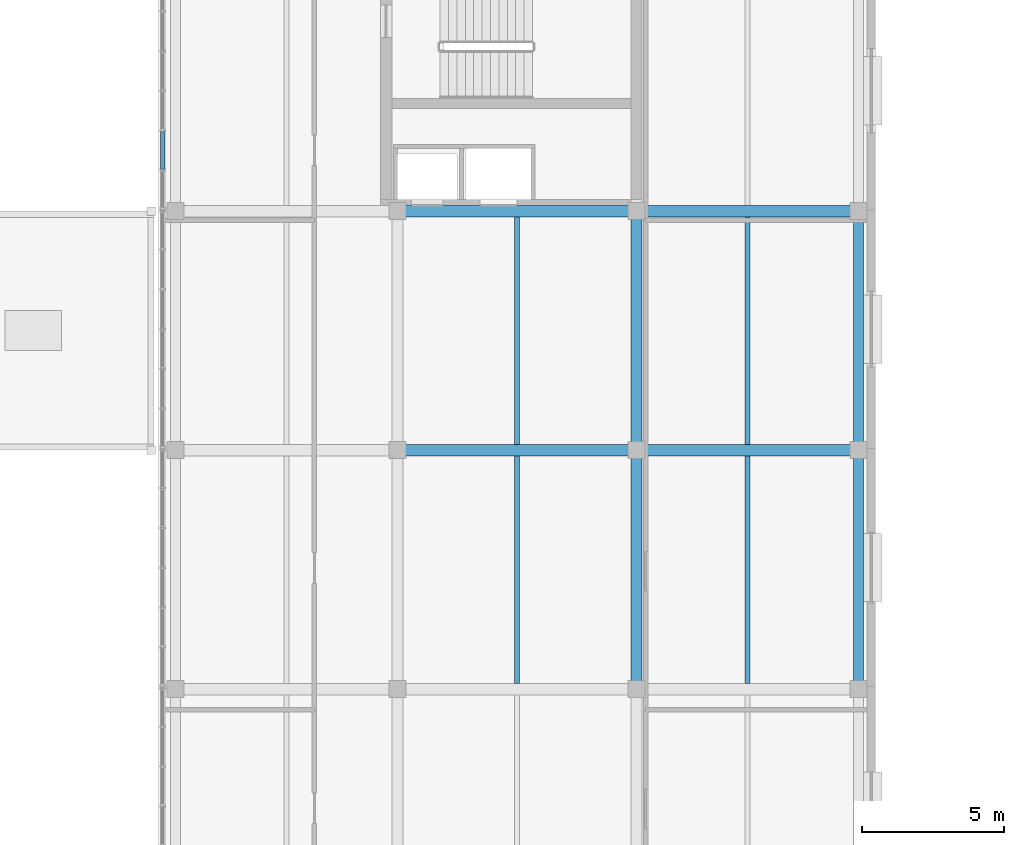
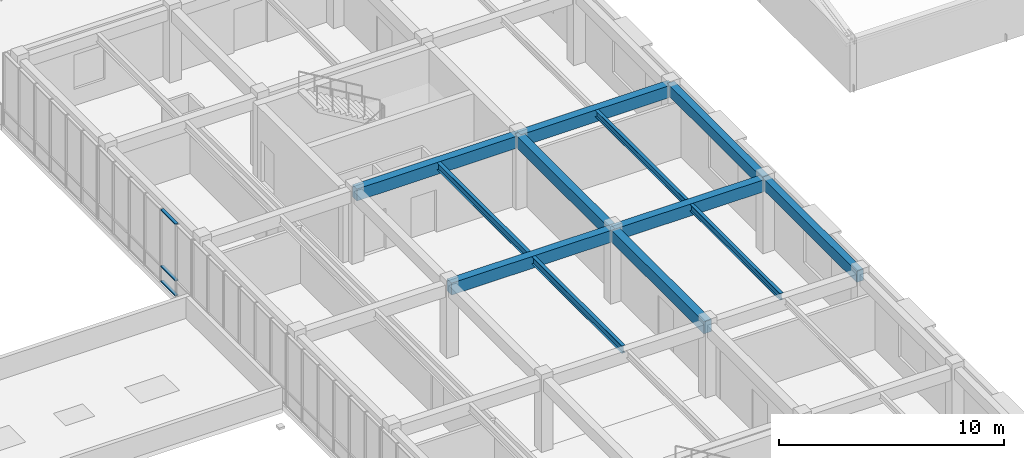
# One storey, part 59 of 123: 12 beams, 3 members, 1 element without a shape of its own.
"""IFC4 building model written with IfcOpenShell, lengths in metres."""

from ifc_helpers import new_model, si_unit, direction, frame, origin, origin_2d, place, context, subcontext, project, spatial, rectangle, hollow_rectangle, i_section, extrude, material, layer, layer_set, material_profile, profile_set, type_object, element, aggregate, save


model = new_model("IFC4")

# Units and contexts
model_context = context("Model", 3, precision=1e-05, world=origin(), true_north=direction((0.0, 1.0)))
body_context = subcontext(model_context, "Body", "Model", "MODEL_VIEW")
ifc_project = project(units=[si_unit("LENGTHUNIT", "METRE"), si_unit("AREAUNIT", "SQUARE_METRE"), si_unit("VOLUMEUNIT", "CUBIC_METRE"), si_unit("PLANEANGLEUNIT", "RADIAN"), si_unit("MASSUNIT", "GRAM", prefix="KILO")], contexts=[model_context])

# Site, building, storey
site_placement = place(None, origin())
site = spatial("IfcSite", under=ifc_project, at=site_placement, CompositionType="ELEMENT")
building_placement = place(site_placement, origin())
building = spatial("IfcBuilding", under=site, at=building_placement, Name="Zayran Congress Hotel", CompositionType="ELEMENT")
storey_placement = place(building_placement, frame((0.0, 0.0, 15.0)))
storey = spatial("IfcBuildingStorey", under=building, at=storey_placement, Name="L03", CompositionType="ELEMENT", Elevation=15.0)

# Beams
ifc_material_1 = material(Name="Concrete C40/50", Category="concrete")
ifc_material_profile_1 = material_profile(ifc_material_1, rectangle(XDim=0.39990234375, YDim=0.64990234375, at=origin_2d()), Name="RC 400x650")
ifc_profile_set_1 = profile_set([ifc_material_profile_1], Name="Concrete C40/50")
beam_type_1 = type_object("IfcBeamType", Name="TP-BM-03", PredefinedType="BEAM", material=ifc_profile_set_1)
beam_1_placement = place(storey_placement, frame((117.60009765625, 76.0, 3.594970703125), z_axis=(1.0, 0.0, 0.0), x_axis=(0.0, 1.0, 0.0)))
element("IfcBeam", 1, at=beam_1_placement, inside=storey, type_object=beam_type_1, Name="BM-V4-L03-1504", PredefinedType="BEAM", context=body_context, shape_type="SweptSolid", body=[
    extrude(rectangle(XDim=0.39990234375, YDim=0.64990234375, at=origin_2d()), origin(), (0.0, 0.0, 1.0), 8.39990234375),
])
beam_2_placement = place(storey_placement, frame((126.0, 76.0, 3.594970703125), z_axis=(1.0, 0.0, 0.0), x_axis=(0.0, 1.0, 0.0)))
element("IfcBeam", 2, at=beam_2_placement, inside=storey, type_object=beam_type_1, Name="BM-V4-L03-1505", PredefinedType="BEAM", context=body_context, shape_type="SweptSolid", body=[
    extrude(rectangle(XDim=0.39990234375, YDim=0.64990234375, at=origin_2d()), origin(), (0.0, 0.0, 1.0), 7.800048828125),
])
beam_3_placement = place(storey_placement, frame((117.60009765625, 84.39990234375, 3.594970703125), z_axis=(1.0, 0.0, 0.0), x_axis=(0.0, 1.0, 0.0)))
element("IfcBeam", 3, at=beam_3_placement, inside=storey, type_object=beam_type_1, Name="BM-V4-L03-1507", PredefinedType="BEAM", context=body_context, shape_type="SweptSolid", body=[
    extrude(rectangle(XDim=0.39990234375, YDim=0.64990234375, at=origin_2d()), origin(), (0.0, 0.0, 1.0), 8.39990234375),
])
beam_4_placement = place(storey_placement, frame((126.0, 84.39990234375, 3.594970703125), z_axis=(1.0, 0.0, 0.0), x_axis=(0.0, 1.0, 0.0)))
element("IfcBeam", 4, at=beam_4_placement, inside=storey, type_object=beam_type_1, Name="BM-V4-L03-1508", PredefinedType="BEAM", context=body_context, shape_type="SweptSolid", body=[
    extrude(rectangle(XDim=0.39990234375, YDim=0.64990234375, at=origin_2d()), origin(), (0.0, 0.0, 1.0), 7.800048828125),
])
for number, where, z_axis, x_axis, name in (
    (5, (126.0, 67.60009765625, 3.594970703125), (0.0, 1.0, 0.0), (-1.0, 0.0, 0.0), "BM-V4-L03-1530"),
    (6, (126.0, 76.0, 3.594970703125), (0.0, 1.0, 0.0), (-1.0, 0.0, 0.0), "BM-V4-L03-1531"),
):
    element("IfcBeam", number, at=place(storey_placement, frame(where, z_axis=z_axis, x_axis=x_axis)), inside=storey, type_object=beam_type_1, Name=name, PredefinedType="BEAM", context=body_context, shape_type="SweptSolid", body=[
        extrude(rectangle(XDim=0.39990234375, YDim=0.64990234375, at=origin_2d()), origin(), (0.0, 0.0, 1.0), 8.39990234375),
    ])
ifc_material_profile_2 = material_profile(ifc_material_1, rectangle(XDim=0.35009765625, YDim=0.60009765625, at=origin_2d()), Name="RC 350x600")
ifc_profile_set_2 = profile_set([ifc_material_profile_2], Name="Concrete C40/50")
beam_type_2 = type_object("IfcBeamType", Name="TP-SP-01", PredefinedType="SPANDREL", material=ifc_profile_set_2)
for number, where, z_axis, x_axis, name in (
    (7, (133.800048828125, 67.60009765625, 3.6201171875), (0.0, 1.0, 0.0), (-1.0, 0.0, 0.0), "BM-V4-L03-1537"),
    (8, (133.800048828125, 76.0, 3.6201171875), (0.0, 1.0, 0.0), (-1.0, 0.0, 0.0), "BM-V4-L03-1538"),
):
    element("IfcBeam", number, at=place(storey_placement, frame(where, z_axis=z_axis, x_axis=x_axis)), inside=storey, type_object=beam_type_2, Name=name, PredefinedType="SPANDREL", context=body_context, shape_type="SweptSolid", body=[
        extrude(rectangle(XDim=0.35009765625, YDim=0.60009765625, at=origin_2d()), origin(), (0.0, 0.0, 1.0), 8.39990234375),
    ])
ifc_material_2 = material(Name="Steel S355", Category="steel")
ifc_material_profile_3 = material_profile(ifc_material_2, i_section(OverallWidth=0.179931640625, OverallDepth=0.39990234375, WebThickness=0.008544921875, FlangeThickness=0.013427734375, at=origin_2d()), Name="IPE 400")
ifc_profile_set_3 = profile_set([ifc_material_profile_3], Name="Steel S355")
beam_type_3 = type_object("IfcBeamType", Name="TP-JS-03", PredefinedType="JOIST", material=ifc_profile_set_3)
for number, where, z_axis, x_axis, name in (
    (9, (121.800048828125, 67.800048828125, 3.719970703125), (0.0, 1.0, 0.0), (-1.0, 0.0, 0.0), "JST-V4-L03-1550"),
    (10, (121.800048828125, 76.199951171875, 3.719970703125), (0.0, 1.0, 0.0), (-1.0, 0.0, 0.0), "JST-V4-L03-1551"),
):
    element("IfcBeam", number, at=place(storey_placement, frame(where, z_axis=z_axis, x_axis=x_axis)), inside=storey, type_object=beam_type_3, Name=name, PredefinedType="JOIST", context=body_context, shape_type="SweptSolid", body=[
        extrude(i_section(OverallWidth=0.179931640625, OverallDepth=0.39990234375, WebThickness=0.008544921875, FlangeThickness=0.013427734375, at=origin_2d()), origin(), (0.0, 0.0, 1.0), 8.0),
    ])
ifc_material_profile_4 = material_profile(ifc_material_2, i_section(OverallWidth=0.169921875, OverallDepth=0.360107421875, WebThickness=0.008056640625, FlangeThickness=0.0126953125, at=origin_2d()), Name="IPE 360")
ifc_profile_set_4 = profile_set([ifc_material_profile_4], Name="Steel S355")
beam_type_4 = type_object("IfcBeamType", Name="TP-JS-04", PredefinedType="JOIST", material=ifc_profile_set_4)
for number, where, z_axis, x_axis, name in (
    (11, (129.89990234375, 67.800048828125, 3.739990234375), (0.0, 1.0, 0.0), (-1.0, 0.0, 0.0), "JST-V4-L03-1556"),
    (12, (129.89990234375, 76.199951171875, 3.739990234375), (0.0, 1.0, 0.0), (-1.0, 0.0, 0.0), "JST-V4-L03-1557"),
):
    element("IfcBeam", number, at=place(storey_placement, frame(where, z_axis=z_axis, x_axis=x_axis)), inside=storey, type_object=beam_type_4, Name=name, PredefinedType="JOIST", context=body_context, shape_type="SweptSolid", body=[
        extrude(i_section(OverallWidth=0.169921875, OverallDepth=0.360107421875, WebThickness=0.008056640625, FlangeThickness=0.0126953125, at=origin_2d()), origin(), (0.0, 0.0, 1.0), 8.0),
    ])

# Curtain wall, members
ifc_material_3 = material(Name="Anodised aluminium and low-E insulated glass", Category="aluminium")
ifc_layer = layer(ifc_material_3, 0.179931640625)
ifc_layer_set = layer_set([ifc_layer], Name="Anodised aluminium and low-E insulated glass")
curtain_wall_type = type_object("IfcCurtainWallType", Name="CW-V4W-L03-CW-53-8368-3920", PredefinedType="USERDEFINED", material=ifc_layer_set)
curtain_wall_placement = place(storey_placement, origin())
curtain_wall = element("IfcCurtainWall", 13, at=curtain_wall_placement, inside=storey, type_object=curtain_wall_type, Name="CW-V4W-L03-5", ObjectType="CURTAIN WALL", PredefinedType="USERDEFINED")
ifc_material_4 = material(Name="Anodised aluminium framing", Category="aluminium")
ifc_material_profile_5 = material_profile(ifc_material_4, hollow_rectangle(XDim=0.06005859375, YDim=0.14990234375, WallThickness=0.00390625, at=origin_2d()), Name="RHS 150x60x4")
ifc_profile_set_5 = profile_set([ifc_material_profile_5], Name="Anodised aluminium framing")
member_type = type_object("IfcMemberType", Name="TP-CWT-01", PredefinedType="USERDEFINED", material=ifc_profile_set_5)
member_1_placement = place(storey_placement, frame((109.35009765625, 87.197265625, 0.030029296875), z_axis=(0.0, -1.0, 0.0), x_axis=(0.0, 0.0, 1.0)))
member_1 = element("IfcMember", 14, at=member_1_placement, type_object=member_type, Name="CW-V4W-L03-5-T04-0", ObjectType="TRANSOM", PredefinedType="USERDEFINED", context=body_context, shape_type="SweptSolid", body=[
    extrude(hollow_rectangle(XDim=0.06005859375, YDim=0.14990234375, WallThickness=0.00390625, at=origin_2d()), origin(), (0.0, 0.0, 1.0), 1.314453125),
])
member_2_placement = place(storey_placement, frame((109.35009765625, 87.197265625, 0.840087890625), z_axis=(0.0, -1.0, 0.0), x_axis=(0.0, 0.0, 1.0)))
member_2 = element("IfcMember", 15, at=member_2_placement, type_object=member_type, Name="CW-V4W-L03-5-T04-1", ObjectType="TRANSOM", PredefinedType="USERDEFINED", context=body_context, shape_type="SweptSolid", body=[
    extrude(hollow_rectangle(XDim=0.06005859375, YDim=0.14990234375, WallThickness=0.00390625, at=origin_2d()), origin(), (0.0, 0.0, 1.0), 1.314453125),
])
member_3_placement = place(storey_placement, frame((109.35009765625, 87.197265625, 3.889892578125), z_axis=(0.0, -1.0, 0.0), x_axis=(0.0, 0.0, 1.0)))
member_3 = element("IfcMember", 16, at=member_3_placement, type_object=member_type, Name="CW-V4W-L03-5-T04-2", ObjectType="TRANSOM", PredefinedType="USERDEFINED", context=body_context, shape_type="SweptSolid", body=[
    extrude(hollow_rectangle(XDim=0.06005859375, YDim=0.14990234375, WallThickness=0.00390625, at=origin_2d()), origin(), (0.0, 0.0, 1.0), 1.314453125),
])
aggregate(curtain_wall, [member_1, member_2, member_3])

save(model, "model.ifc")
